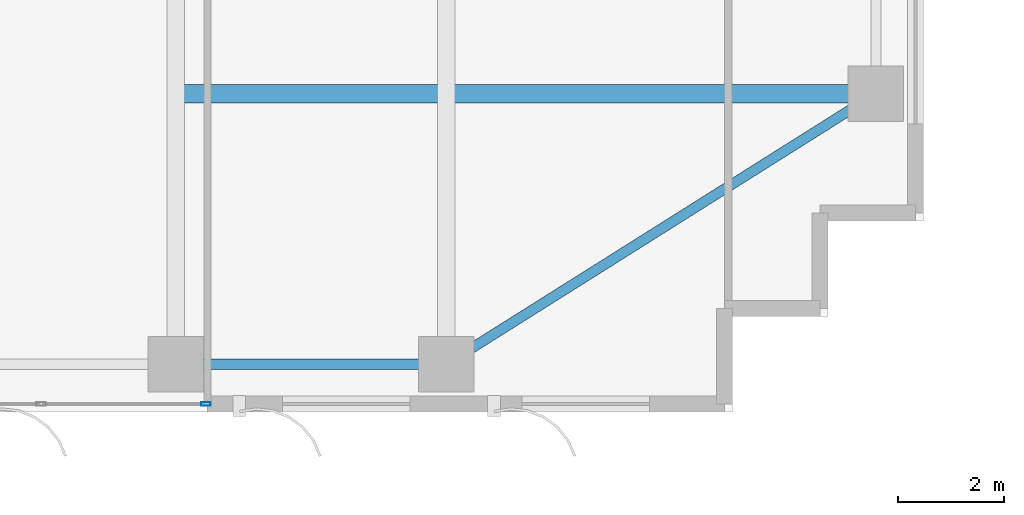
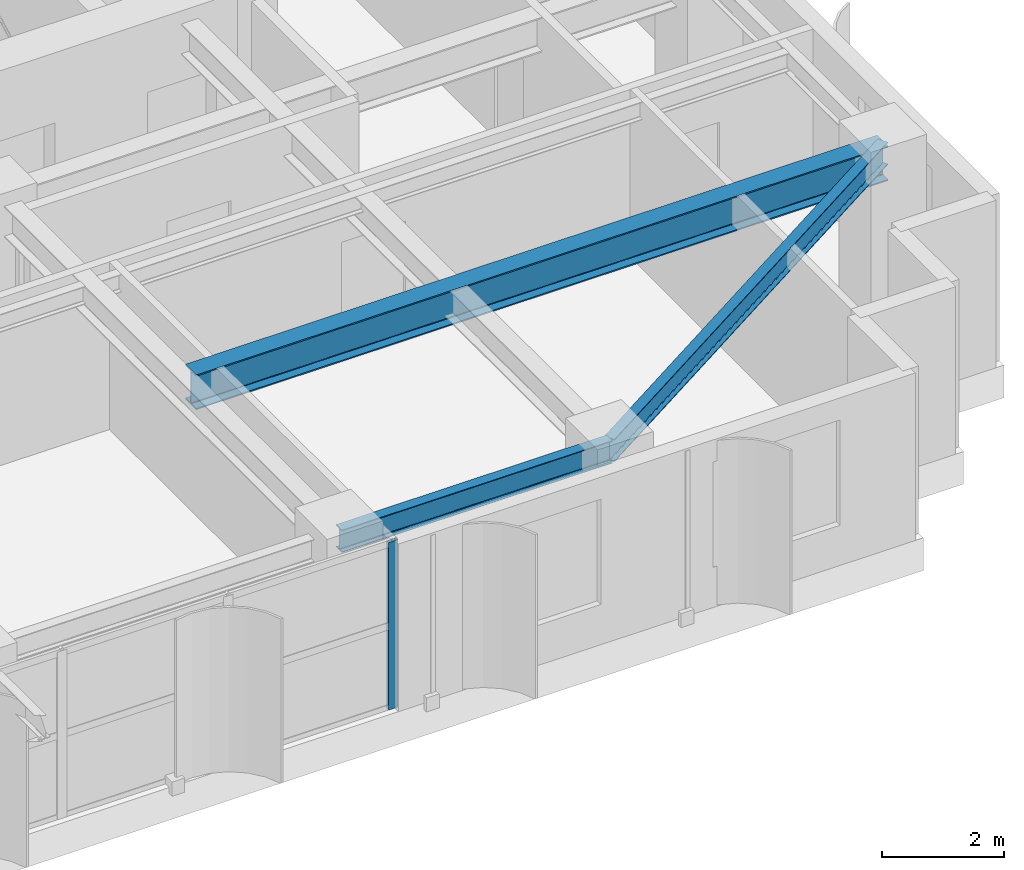
# One storey, part 9 of 23: 3 beams, 1 member, 1 element without a shape of its own.
"""IFC4 building model written with IfcOpenShell, lengths in metres."""

from ifc_helpers import new_model, si_unit, direction, frame, origin, origin_2d, place, context, subcontext, project, spatial, hollow_rectangle, i_section, extrude, source, transform, mapped, material, layer, layer_set, material_profile, profile_set, type_object, element, aggregate, save


model = new_model("IFC4")

# Units and contexts
model_context = context("Model", 3, precision=1e-05, world=origin(), true_north=direction((0.0, 1.0)))
body_context = subcontext(model_context, "Body", "Model", "MODEL_VIEW")
ifc_project = project(units=[si_unit("LENGTHUNIT", "METRE"), si_unit("AREAUNIT", "SQUARE_METRE"), si_unit("VOLUMEUNIT", "CUBIC_METRE"), si_unit("PLANEANGLEUNIT", "RADIAN"), si_unit("MASSUNIT", "GRAM", prefix="KILO")], contexts=[model_context])

# Site, building, storey
site_placement = place(None, origin())
site = spatial("IfcSite", under=ifc_project, at=site_placement, CompositionType="ELEMENT")
building_placement = place(site_placement, origin())
building = spatial("IfcBuilding", under=site, at=building_placement, Name="Khoralis Quay Care Tower", CompositionType="ELEMENT")
storey_placement = place(building_placement, frame((0.0, 0.0, 83.699951171875)))
storey = spatial("IfcBuildingStorey", under=building, at=storey_placement, Name="L21", CompositionType="ELEMENT", Elevation=83.699951171875)

# Beams
ifc_material_1 = material(Name="Steel S355", Category="steel")
ifc_material_profile_1 = material_profile(ifc_material_1, i_section(OverallWidth=0.18994140625, OverallDepth=0.449951171875, WebThickness=0.009521484375, FlangeThickness=0.0146484375, FilletRadius=0.02099609375, at=origin_2d()), Name="Steel S355")
ifc_profile_set_1 = profile_set([ifc_material_profile_1], Name="Steel S355")
beam_type_1 = type_object("IfcBeamType", Name="BM-IPE450", PredefinedType="SPANDREL", material=ifc_profile_set_1)
shared_shape_1 = source(origin(), body_context, "Body", "SweptSolid", [
    extrude(i_section(OverallWidth=0.18994140625, OverallDepth=0.449951171875, WebThickness=0.009521484375, FlangeThickness=0.0146484375, FilletRadius=0.02099609375, at=origin_2d()), origin(), (0.0, 0.0, 1.0), 5.10009765625),
])
beam_1_placement = place(storey_placement, frame((30.89990234375, 0.89990234375, 3.114990234375), z_axis=(1.0, 0.0, 0.0), x_axis=(0.0, 1.0, 0.0)))
element("IfcBeam", 1, at=beam_1_placement, inside=storey, type_object=beam_type_1, Name="BM-TSP-L21-05", PredefinedType="SPANDREL", context=body_context, shape_type="MappedRepresentation", body=[
    mapped(shared_shape_1, transform((0.0, 0.0, 0.0), scale=1.0)),
])
shared_shape_2 = source(origin(), body_context, "Body", "SweptSolid", [
    extrude(i_section(OverallWidth=0.18994140625, OverallDepth=0.449951171875, WebThickness=0.009521484375, FlangeThickness=0.0146484375, FilletRadius=0.02099609375, at=origin_2d()), origin(), (0.0, 0.0, 1.0), 9.572021484375),
])
beam_2_placement = place(storey_placement, frame((36.0, 0.89990234375, 3.114990234375), z_axis=(0.846231136359, 0.532815975602, 0.0), x_axis=(-0.532815975602, 0.846231136359, 0.0)))
element("IfcBeam", 2, at=beam_2_placement, inside=storey, type_object=beam_type_1, Name="BM-TCR-L21-22", PredefinedType="SPANDREL", context=body_context, shape_type="MappedRepresentation", body=[
    mapped(shared_shape_2, transform((0.0, 0.0, 0.0), scale=1.0)),
])
ifc_material_profile_2 = material_profile(ifc_material_1, i_section(OverallWidth=0.35498046875, OverallDepth=0.695068359375, WebThickness=0.015380859375, FlangeThickness=0.02490234375, FilletRadius=0.02001953125, at=origin_2d()), Name="Steel S355")
ifc_profile_set_2 = profile_set([ifc_material_profile_2], Name="Steel S355")
beam_type_2 = type_object("IfcBeamType", Name="BM-W690X217", PredefinedType="BEAM", material=ifc_profile_set_2)
shared_shape_3 = source(origin(), body_context, "Body", "SweptSolid", [
    extrude(i_section(OverallWidth=0.35498046875, OverallDepth=0.695068359375, WebThickness=0.015380859375, FlangeThickness=0.02490234375, FilletRadius=0.02001953125, at=origin_2d()), origin(), (0.0, 0.0, 1.0), 13.049560546875),
])
beam_3_placement = place(storey_placement, frame((31.050537109375, 6.0, 2.992431640625), z_axis=(1.0, 0.0, 0.0), x_axis=(0.0, 1.0, 0.0)))
element("IfcBeam", 3, at=beam_3_placement, inside=storey, type_object=beam_type_2, Name="BM-TGXE-L21-60", PredefinedType="BEAM", context=body_context, shape_type="MappedRepresentation", body=[
    mapped(shared_shape_3, transform((0.0, 0.0, 0.0), scale=1.0)),
])

# Curtain wall, member
ifc_material_2 = material(Name="Pale anodised aluminium", Category="aluminium")
ifc_layer = layer(ifc_material_2, 0.169921875)
ifc_layer_set = layer_set([ifc_layer], Name="Pale anodised aluminium")
curtain_wall_type = type_object("IfcCurtainWallType", Name="CW-SYS-Z2", PredefinedType="NOTDEFINED", material=ifc_layer_set)
curtain_wall_placement = place(storey_placement, origin())
curtain_wall = element("IfcCurtainWall", 4, at=curtain_wall_placement, inside=storey, type_object=curtain_wall_type, Name="L21 Unitised Curtain Wall CW-L21-P1-E0", PredefinedType="NOTDEFINED")
ifc_material_profile_3 = material_profile(ifc_material_2, hollow_rectangle(XDim=0.06494140625, YDim=0.179931640625, WallThickness=0.00390625, at=origin_2d()), Name="Pale anodised aluminium")
ifc_profile_set_3 = profile_set([ifc_material_profile_3], Name="Pale anodised aluminium")
member_type = type_object("IfcMemberType", Name="CW-MUL-180", PredefinedType="MULLION", material=ifc_profile_set_3)
shared_shape_4 = source(origin(), body_context, "Body", "SweptSolid", [
    extrude(hollow_rectangle(XDim=0.06494140625, YDim=0.179931640625, WallThickness=0.00390625, at=origin_2d()), origin(), (0.0, 0.0, 1.0), 3.340087890625),
])
member_placement = place(storey_placement, frame((31.469970703125, 0.14990234375, 0.0), z_axis=(0.0, 0.0, 1.0), x_axis=(0.0, 1.0, 0.0)))
member = element("IfcMember", 5, at=member_placement, type_object=member_type, Name="CW2 mullion 7", PredefinedType="MULLION", context=body_context, shape_type="MappedRepresentation", body=[
    mapped(shared_shape_4, transform((0.0, 0.0, 0.0), scale=1.0)),
])
aggregate(curtain_wall, [member])

save(model, "model.ifc")
